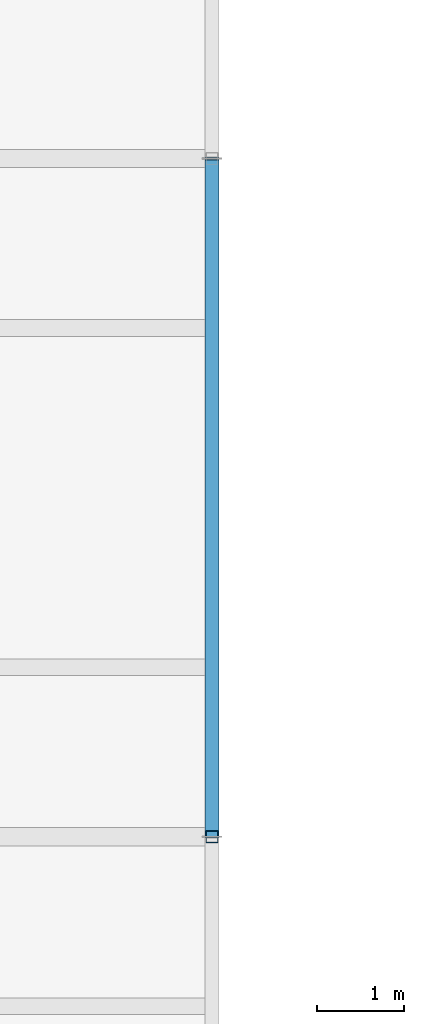
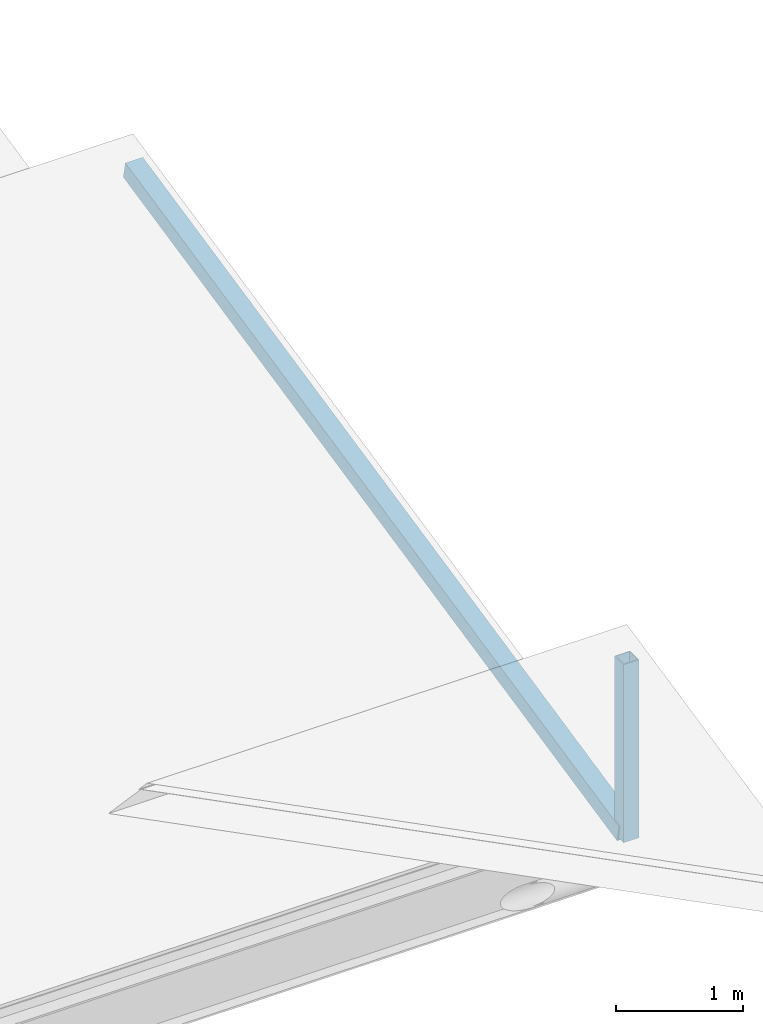
# One storey, part 20 of 89: 2 members.
"""IFC4 building model written with IfcOpenShell, lengths in metres."""

from ifc_helpers import new_model, si_unit, direction, frame, origin, origin_2d, place, context, subcontext, project, spatial, hollow_rectangle, extrude, material, material_profile, profile_set, type_object, element, save


model = new_model("IFC4")

# Units and contexts
model_context = context("Model", 3, precision=1e-05, world=origin(), true_north=direction((0.0, 1.0)))
body_context = subcontext(model_context, "Body", "Model", "MODEL_VIEW")
ifc_project = project(units=[si_unit("LENGTHUNIT", "METRE"), si_unit("AREAUNIT", "SQUARE_METRE"), si_unit("VOLUMEUNIT", "CUBIC_METRE"), si_unit("PLANEANGLEUNIT", "RADIAN"), si_unit("MASSUNIT", "GRAM", prefix="KILO")], contexts=[model_context])

# Site, building, storey
site_placement = place(None, origin())
site = spatial("IfcSite", under=ifc_project, at=site_placement, CompositionType="ELEMENT")
building_placement = place(site_placement, origin())
building = spatial("IfcBuilding", under=site, at=building_placement, Name="Celorna Specialist Clinic", CompositionType="ELEMENT")
storey_placement = place(building_placement, frame((0.0, 0.0, 14.10009765625)))
storey = spatial("IfcBuildingStorey", under=building, at=storey_placement, Name="L03", CompositionType="ELEMENT", Elevation=14.10009765625)

# Members
ifc_material = material(Name="Steel S355", Category="steel")
ifc_material_profile_1 = material_profile(ifc_material, hollow_rectangle(XDim=0.159912109375, YDim=0.159912109375, WallThickness=0.010009765625, at=origin_2d()), Name="SHS 160x160x10")
ifc_profile_set_1 = profile_set([ifc_material_profile_1], Name="Steel S355")
member_type_1 = type_object("IfcMemberType", Name="MB-09", PredefinedType="CHORD", material=ifc_profile_set_1)
member_1_placement = place(storey_placement, frame((39.0, 42.89990234375, -0.2021484375), z_axis=(0.0, 0.977835098472, 0.209376503448), x_axis=(-1.0, 0.0, 0.0)))
element("IfcMember", 1, at=member_1_placement, inside=storey, type_object=member_type_1, Name="Pitched roof rafter chord WP-273-WP-274", PredefinedType="CHORD", context=body_context, shape_type="SweptSolid", body=[
    extrude(hollow_rectangle(XDim=0.159912109375, YDim=0.159912109375, WallThickness=0.010009765625, at=origin_2d()), origin(), (0.0, 0.0, 1.0), 7.976806640625),
])
ifc_material_profile_2 = material_profile(ifc_material, hollow_rectangle(XDim=0.139892578125, YDim=0.139892578125, WallThickness=0.008056640625, at=origin_2d()), Name="SHS 140x140x8")
ifc_profile_set_2 = profile_set([ifc_material_profile_2], Name="Steel S355")
member_type_2 = type_object("IfcMemberType", Name="MB-10", PredefinedType="CHORD", material=ifc_profile_set_2)
member_2_placement = place(storey_placement, frame((39.0, 42.89990234375, -0.25), z_axis=(0.0, 0.0, 1.0), x_axis=(1.0, 0.0, 0.0)))
element("IfcMember", 2, at=member_2_placement, inside=storey, type_object=member_type_2, Name="Roof ridge/eave support post ROOF-V2-SAW-1", PredefinedType="CHORD", context=body_context, shape_type="SweptSolid", body=[
    extrude(hollow_rectangle(XDim=0.139892578125, YDim=0.139892578125, WallThickness=0.008056640625, at=origin_2d()), origin(), (0.0, 0.0, 1.0), 1.718017578125),
])

save(model, "model.ifc")
